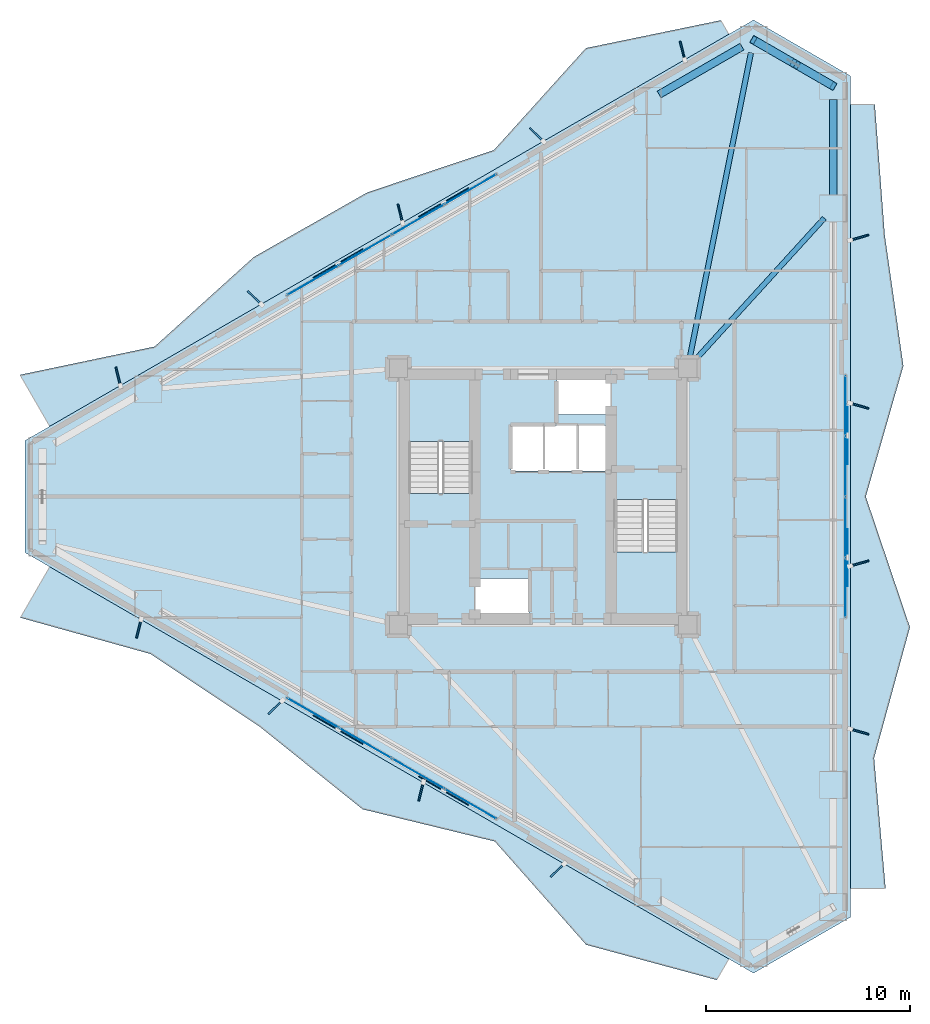
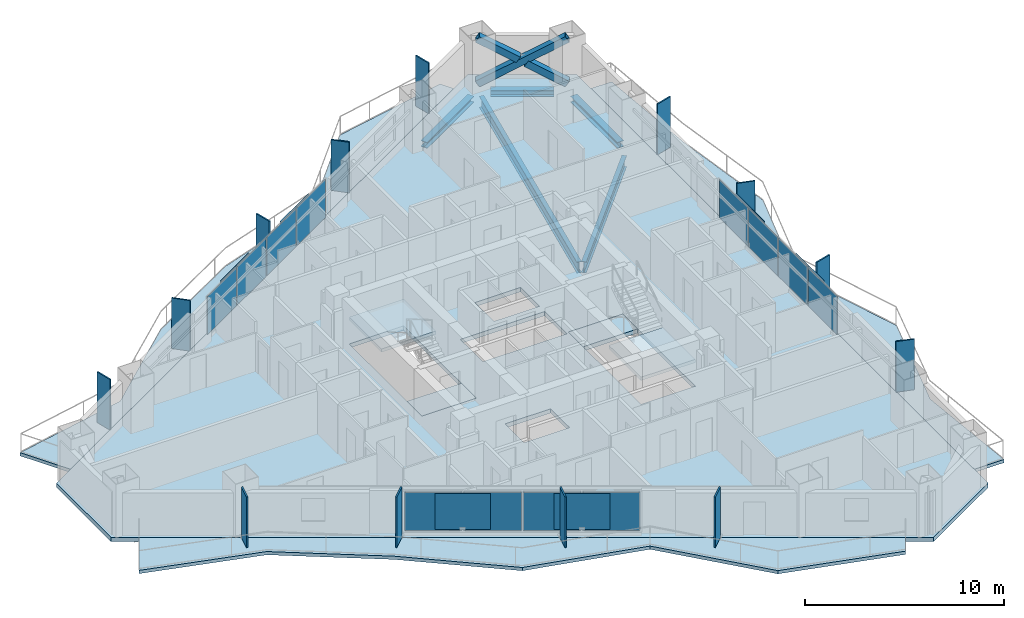
# One storey, part 10 of 18: 31 plates, 8 slabs, 5 beams, 3 members, 5 elements without a shape of their own.
"""IFC4 building model written with IfcOpenShell, lengths in metres."""

from ifc_helpers import new_model, si_unit, direction, frame, origin, origin_2d, place, context, subcontext, project, spatial, polyline, rectangle, hollow_rectangle, i_section, outline, extrude, material, layer, layer_set, material_profile, profile_set, type_object, element, aggregate, save


model = new_model("IFC4")

# Units and contexts
model_context = context("Model", 3, precision=1e-05, world=origin(), true_north=direction((0.0, 1.0)))
body_context = subcontext(model_context, "Body", "Model", "MODEL_VIEW")
ifc_project = project(units=[si_unit("LENGTHUNIT", "METRE"), si_unit("AREAUNIT", "SQUARE_METRE"), si_unit("VOLUMEUNIT", "CUBIC_METRE"), si_unit("PLANEANGLEUNIT", "RADIAN"), si_unit("MASSUNIT", "GRAM", prefix="KILO")], contexts=[model_context])

# Site, building, storey
site_placement = place(None, origin())
site = spatial("IfcSite", under=ifc_project, at=site_placement, CompositionType="ELEMENT")
building_placement = place(site_placement, origin())
building = spatial("IfcBuilding", under=site, at=building_placement, Name="Mersakhor Tower and Convention Hall", CompositionType="ELEMENT")
storey_placement = place(building_placement, frame((0.0, 0.0, 39.0)))
storey = spatial("IfcBuildingStorey", under=building, at=storey_placement, Name="L10", CompositionType="ELEMENT", Elevation=39.0)

# Beams
ifc_material_1 = material(Name="Steel S355", Category="steel")
ifc_material_profile_1 = material_profile(ifc_material_1, i_section(OverallWidth=0.25439453125, OverallDepth=0.6875, WebThickness=0.01318359375, FlangeThickness=0.02099609375, at=origin_2d()), Name="UB 686x254x152")
ifc_profile_set_1 = profile_set([ifc_material_profile_1], Name="Steel S355")
beam_type_1 = type_object("IfcBeamType", Name="BM-PR-686", PredefinedType="BEAM", material=ifc_profile_set_1)
beam_1_placement = place(storey_placement, frame((36.1845703125, 33.4716796875, -0.603759765625), z_axis=(0.196849718138, 0.980433673672, 0.0), x_axis=(-0.980433673672, 0.196849718138, 0.0)))
element("IfcBeam", 1, at=beam_1_placement, inside=storey, type_object=beam_type_1, Name="L10 Primary Floor Girder FG-2", PredefinedType="BEAM", context=body_context, shape_type="SweptSolid", body=[
    extrude(i_section(OverallWidth=0.25439453125, OverallDepth=0.6875, WebThickness=0.01318359375, FlangeThickness=0.02099609375, at=origin_2d()), origin(), (0.0, 0.0, 1.0), 15.359130859375),
])
beam_2_placement = place(storey_placement, frame((36.389404296875, 33.367919921875, -0.603759765625), z_axis=(0.67316322447, 0.739493930483, 0.0), x_axis=(-0.739493930483, 0.67316322447, 0.0)))
element("IfcBeam", 2, at=beam_2_placement, inside=storey, type_object=beam_type_1, Name="L10 Primary Floor Girder FG-3", PredefinedType="BEAM", context=body_context, shape_type="SweptSolid", body=[
    extrude(i_section(OverallWidth=0.25439453125, OverallDepth=0.6875, WebThickness=0.01318359375, FlangeThickness=0.02099609375, at=origin_2d()), origin(), (0.0, 0.0, 1.0), 9.53662109375),
])
ifc_material_2 = material(Name="Steel S355", Category="steel")
ifc_material_profile_2 = material_profile(ifc_material_2, i_section(OverallWidth=0.374755859375, OverallDepth=0.37451171875, WebThickness=0.0166015625, FlangeThickness=0.027099609375, at=origin_2d()), Name="UC 356x368x202")
ifc_profile_set_2 = profile_set([ifc_material_profile_2], Name="Steel S355")
beam_type_2 = type_object("IfcBeamType", Name="BM-SPD-UC356", PredefinedType="SPANDREL", material=ifc_profile_set_2)
beam_3_placement = place(storey_placement, frame((34.700439453125, 46.49560546875, -0.447265625), z_axis=(0.866031574723, 0.499989311469, 0.0), x_axis=(-0.499989311469, 0.866031574723, 0.0)))
element("IfcBeam", 3, at=beam_3_placement, inside=storey, type_object=beam_type_2, Name="L10 Perimeter Spandrel Beam SPB-03", PredefinedType="SPANDREL", context=body_context, shape_type="SweptSolid", body=[
    extrude(i_section(OverallWidth=0.374755859375, OverallDepth=0.37451171875, WebThickness=0.0166015625, FlangeThickness=0.027099609375, at=origin_2d()), origin(), (0.0, 0.0, 1.0), 4.69873046875),
])
beam_4_placement = place(storey_placement, frame((39.904052734375, 48.844970703125, -0.447265625), z_axis=(0.866038607556, -0.4999771297, 0.0), x_axis=(0.4999771297, 0.866038607556, 0.0)))
element("IfcBeam", 4, at=beam_4_placement, inside=storey, type_object=beam_type_2, Name="L10 Perimeter Spandrel Beam SPB-04", PredefinedType="SPANDREL", context=body_context, shape_type="SweptSolid", body=[
    extrude(i_section(OverallWidth=0.374755859375, OverallDepth=0.37451171875, WebThickness=0.0166015625, FlangeThickness=0.027099609375, at=origin_2d()), origin(), (0.0, 0.0, 1.0), 3.208740234375),
])
beam_5_placement = place(storey_placement, frame((43.25, 46.25830078125, -0.447265625), z_axis=(0.0, -1.0, 0.0), x_axis=(1.0, 0.0, 0.0)))
element("IfcBeam", 5, at=beam_5_placement, inside=storey, type_object=beam_type_2, Name="L10 Perimeter Spandrel Beam SPB-05", PredefinedType="SPANDREL", context=body_context, shape_type="SweptSolid", body=[
    extrude(i_section(OverallWidth=0.374755859375, OverallDepth=0.37451171875, WebThickness=0.0166015625, FlangeThickness=0.027099609375, at=origin_2d()), origin(), (0.0, 0.0, 1.0), 4.69873046875),
])

# Members
ifc_material_3 = material(Name="Steel S460", Category="steel")
ifc_material_profile_3 = material_profile(ifc_material_3, hollow_rectangle(XDim=0.39990234375, YDim=0.39990234375, WallThickness=0.02490234375, at=origin_2d()), Name="SHS 400x400x25")
ifc_profile_set_3 = profile_set([ifc_material_profile_3], Name="Steel S460")
member_type = type_object("IfcMemberType", Name="MB-BRC-SHS400", PredefinedType="BRACE", material=ifc_profile_set_3)
member_placement = place(storey_placement, frame((39.3369140625, 49.172607421875, 0.14990234375), z_axis=(0.740507772322, -0.427542982597, 0.518512523632), x_axis=(0.500009315796, 0.86602002524, 0.0)))
element("IfcMember", 6, at=member_placement, inside=storey, type_object=member_type, Name="L10 Chamfer Braced Frame Diagonal CB-1A", PredefinedType="BRACE", context=body_context, shape_type="SweptSolid", body=[
    extrude(hollow_rectangle(XDim=0.39990234375, YDim=0.39990234375, WallThickness=0.02490234375, at=origin_2d()), origin(), (0.0, 0.0, 1.0), 5.284423828125),
])
for number, where, z_axis, x_axis, name in (
    (7, (43.25, 46.913330078125, 0.14990234375), (-0.740505282886, 0.427518653602, 0.518536138413), (-0.499989236795, -0.866031617834, 0.0), "L10 Chamfer Braced Frame Diagonal CB-1B Lower Half"),
    (8, (41.12060546875, 48.142578125, 1.64111328125), (-0.740512106644, 0.427623949895, 0.518439560017), (-0.500078132948, -0.865980289006, 0.0), "L10 Chamfer Braced Frame Diagonal CB-1B Upper Half"),
):
    element("IfcMember", number, at=place(storey_placement, frame(where, z_axis=z_axis, x_axis=x_axis)), inside=storey, type_object=member_type, Name=name, PredefinedType="BRACE", context=body_context, shape_type="SweptSolid", body=[
        extrude(hollow_rectangle(XDim=0.39990234375, YDim=0.39990234375, WallThickness=0.02490234375, at=origin_2d()), origin(), (0.0, 0.0, 1.0), 2.40869140625),
    ])

# Curtain wall, plates
ifc_material_4 = material(Name="Dark solar low-E aluminium curtain wall", Category="aluminium")
ifc_layer_1 = layer(ifc_material_4, 0.159912109375)
ifc_layer_set_1 = layer_set([ifc_layer_1], Name="Dark solar low-E aluminium curtain wall")
curtain_wall_type = type_object("IfcCurtainWallType", Name="CW-SYS-01", PredefinedType="USERDEFINED", material=ifc_layer_set_1)
curtain_wall_1_placement = place(storey_placement, origin())
curtain_wall_1 = element("IfcCurtainWall", 9, at=curtain_wall_1_placement, inside=storey, type_object=curtain_wall_type, Name="L10 Dark-Glass Curtain Wall F1-B2", ObjectType="CURTAIN WALL", PredefinedType="USERDEFINED")
ifc_material_5 = material(Name="Dark solar double glazing", Category="glass")
ifc_layer_2 = layer(ifc_material_5, 0.02392578125)
ifc_layer_set_2 = layer_set([ifc_layer_2], Name="Dark solar double glazing")
plate_type_1 = type_object("IfcPlateType", Name="CWP-GLZ-24", PredefinedType="CURTAIN_PANEL", material=ifc_layer_set_2)
plate_1_placement = place(storey_placement, frame((17.702880859375, 37.375, 0.259765625), z_axis=(0.0, 0.0, 1.0), x_axis=(0.866023412558, 0.50000344889, 0.0)))
plate_1 = element("IfcPlate", 10, at=plate_1_placement, type_object=plate_type_1, Name="CW-01 panel 1.1", PredefinedType="CURTAIN_PANEL", context=body_context, shape_type="SweptSolid", body=[
    extrude(rectangle(XDim=2.880859375, YDim=0.02392578125, at=origin_2d()), origin(), (0.0, 0.0, 1.0), 2.340087890625),
])
plate_2_placement = place(storey_placement, frame((20.27880859375, 38.862060546875, 0.259765625), z_axis=(0.0, 0.0, 1.0), x_axis=(0.866023412558, 0.50000344889, 0.0)))
plate_2 = element("IfcPlate", 11, at=plate_2_placement, type_object=plate_type_1, Name="CW-01 panel 2.1", PredefinedType="CURTAIN_PANEL", context=body_context, shape_type="SweptSolid", body=[
    extrude(rectangle(XDim=2.918212890625, YDim=0.02392578125, at=origin_2d()), origin(), (0.0, 0.0, 1.0), 2.340087890625),
])
plate_3_placement = place(storey_placement, frame((22.87109375, 40.35888671875, 0.259765625), z_axis=(0.0, 0.0, 1.0), x_axis=(0.866023412558, 0.50000344889, 0.0)))
plate_3 = element("IfcPlate", 12, at=plate_3_placement, type_object=plate_type_1, Name="CW-01 panel 3.1", PredefinedType="CURTAIN_PANEL", context=body_context, shape_type="SweptSolid", body=[
    extrude(rectangle(XDim=2.918212890625, YDim=0.02392578125, at=origin_2d()), origin(), (0.0, 0.0, 1.0), 2.340087890625),
])
plate_4_placement = place(storey_placement, frame((25.447021484375, 41.84619140625, 0.259765625), z_axis=(0.0, 0.0, 1.0), x_axis=(0.866023412558, 0.50000344889, 0.0)))
plate_4 = element("IfcPlate", 13, at=plate_4_placement, type_object=plate_type_1, Name="CW-01 panel 4.1", PredefinedType="CURTAIN_PANEL", context=body_context, shape_type="SweptSolid", body=[
    extrude(rectangle(XDim=2.880859375, YDim=0.02392578125, at=origin_2d()), origin(), (0.0, 0.0, 1.0), 2.340087890625),
])
aggregate(curtain_wall_1, [plate_1, plate_2, plate_3, plate_4])

curtain_wall_2_placement = place(storey_placement, origin())
curtain_wall_2 = element("IfcCurtainWall", 14, at=curtain_wall_2_placement, inside=storey, type_object=curtain_wall_type, Name="L10 Dark-Glass Curtain Wall F2-B2", ObjectType="CURTAIN WALL", PredefinedType="USERDEFINED")
plate_5_placement = place(storey_placement, frame((43.85009765625, 31.22119140625, 0.259765625), z_axis=(0.0, 0.0, 1.0), x_axis=(0.0, -1.0, 0.0)))
plate_5 = element("IfcPlate", 15, at=plate_5_placement, type_object=plate_type_1, Name="CW-01 panel 1.1", PredefinedType="CURTAIN_PANEL", context=body_context, shape_type="SweptSolid", body=[
    extrude(rectangle(XDim=2.880859375, YDim=0.02392578125, at=origin_2d()), origin(), (0.0, 0.0, 1.0), 2.340087890625),
])
plate_6_placement = place(storey_placement, frame((43.85009765625, 28.24658203125, 0.259765625), z_axis=(0.0, 0.0, 1.0), x_axis=(0.0, -1.0, 0.0)))
plate_6 = element("IfcPlate", 16, at=plate_6_placement, type_object=plate_type_1, Name="CW-01 panel 2.1", PredefinedType="CURTAIN_PANEL", context=body_context, shape_type="SweptSolid", body=[
    extrude(rectangle(XDim=2.918212890625, YDim=0.02392578125, at=origin_2d()), origin(), (0.0, 0.0, 1.0), 2.340087890625),
])
plate_7_placement = place(storey_placement, frame((43.85009765625, 25.25341796875, 0.259765625), z_axis=(0.0, 0.0, 1.0), x_axis=(0.0, -1.0, 0.0)))
plate_7 = element("IfcPlate", 17, at=plate_7_placement, type_object=plate_type_1, Name="CW-01 panel 3.1", PredefinedType="CURTAIN_PANEL", context=body_context, shape_type="SweptSolid", body=[
    extrude(rectangle(XDim=2.918212890625, YDim=0.02392578125, at=origin_2d()), origin(), (0.0, 0.0, 1.0), 2.340087890625),
])
plate_8_placement = place(storey_placement, frame((43.85009765625, 22.27880859375, 0.259765625), z_axis=(0.0, 0.0, 1.0), x_axis=(0.0, -1.0, 0.0)))
plate_8 = element("IfcPlate", 18, at=plate_8_placement, type_object=plate_type_1, Name="CW-01 panel 4.1", PredefinedType="CURTAIN_PANEL", context=body_context, shape_type="SweptSolid", body=[
    extrude(rectangle(XDim=2.880859375, YDim=0.02392578125, at=origin_2d()), origin(), (0.0, 0.0, 1.0), 2.340087890625),
])
aggregate(curtain_wall_2, [plate_5, plate_6, plate_7, plate_8])

curtain_wall_3_placement = place(storey_placement, origin())
curtain_wall_3 = element("IfcCurtainWall", 19, at=curtain_wall_3_placement, inside=storey, type_object=curtain_wall_type, Name="L10 Dark-Glass Curtain Wall F3-B2", ObjectType="CURTAIN WALL", PredefinedType="USERDEFINED")
plate_9_placement = place(storey_placement, frame((25.447021484375, 11.65380859375, 0.259765625), z_axis=(0.0, 0.0, 1.0), x_axis=(-0.866023412558, 0.50000344889, 0.0)))
plate_9 = element("IfcPlate", 20, at=plate_9_placement, type_object=plate_type_1, Name="CW-01 panel 1.1", PredefinedType="CURTAIN_PANEL", context=body_context, shape_type="SweptSolid", body=[
    extrude(rectangle(XDim=2.880859375, YDim=0.02392578125, at=origin_2d()), origin(), (0.0, 0.0, 1.0), 2.340087890625),
])
plate_10_placement = place(storey_placement, frame((22.87109375, 13.14111328125, 0.259765625), z_axis=(0.0, 0.0, 1.0), x_axis=(-0.866023412558, 0.50000344889, 0.0)))
plate_10 = element("IfcPlate", 21, at=plate_10_placement, type_object=plate_type_1, Name="CW-01 panel 2.1", PredefinedType="CURTAIN_PANEL", context=body_context, shape_type="SweptSolid", body=[
    extrude(rectangle(XDim=2.918212890625, YDim=0.02392578125, at=origin_2d()), origin(), (0.0, 0.0, 1.0), 2.340087890625),
])
plate_11_placement = place(storey_placement, frame((20.27880859375, 14.637939453125, 0.259765625), z_axis=(0.0, 0.0, 1.0), x_axis=(-0.866023412558, 0.50000344889, 0.0)))
plate_11 = element("IfcPlate", 22, at=plate_11_placement, type_object=plate_type_1, Name="CW-01 panel 3.1", PredefinedType="CURTAIN_PANEL", context=body_context, shape_type="SweptSolid", body=[
    extrude(rectangle(XDim=2.918212890625, YDim=0.02392578125, at=origin_2d()), origin(), (0.0, 0.0, 1.0), 2.340087890625),
])
plate_12_placement = place(storey_placement, frame((17.702880859375, 16.125, 0.259765625), z_axis=(0.0, 0.0, 1.0), x_axis=(-0.866023412558, 0.50000344889, 0.0)))
plate_12 = element("IfcPlate", 23, at=plate_12_placement, type_object=plate_type_1, Name="CW-01 panel 4.1", PredefinedType="CURTAIN_PANEL", context=body_context, shape_type="SweptSolid", body=[
    extrude(rectangle(XDim=2.880859375, YDim=0.02392578125, at=origin_2d()), origin(), (0.0, 0.0, 1.0), 2.340087890625),
])
aggregate(curtain_wall_3, [plate_9, plate_10, plate_11, plate_12])

# Plates
ifc_material_6 = material(Name="Ceramic-clad aluminium Zone 1 cobalt-slate", Category="masonry")
ifc_material_7 = material(Name="Ceramic-clad aluminium Zone 1 cobalt-slate", Category="masonry")
ifc_layer_3 = layer(ifc_material_7, 0.080078125)
ifc_layer_set_3 = layer_set([ifc_layer_3], Name="Ceramic-clad aluminium Zone 1 cobalt-slate")
plate_type_2 = type_object("IfcPlateType", Name="PL-FIN-80", PredefinedType="USERDEFINED", material=ifc_layer_set_3)
for number, where, z_axis, x_axis, name in (
    (24, (8.134765625, 32.6435546875, 0.0), (0.0, 0.0, 1.0), (-0.2419218956, 0.970295726276, 0.0), "L10 Zone 1 Coloured Brise-Soleil Fin F1-1"),
    (25, (14.836181640625, 36.5126953125, 0.0), (0.0, 0.0, 1.0), (-0.719339800339, 0.694658370459, 0.0), "L10 Zone 1 Coloured Brise-Soleil Fin F1-2"),
    (26, (21.9912109375, 40.6435546875, 0.0), (0.0, 0.0, 1.0), (-0.2419218956, 0.970295726276, 0.0), "L10 Zone 1 Coloured Brise-Soleil Fin F1-3"),
    (27, (28.692626953125, 44.5126953125, 0.0), (0.0, 0.0, 1.0), (-0.719339800339, 0.694658370459, 0.0), "L10 Zone 1 Coloured Brise-Soleil Fin F1-4"),
    (28, (35.847412109375, 48.6435546875, 0.0), (0.0, 0.0, 1.0), (-0.2419218956, 0.970295726276, 0.0), "L10 Zone 1 Coloured Brise-Soleil Fin F1-5"),
    (29, (44.53662109375, 39.46826171875, 0.0), (0.0, 0.0, 1.0), (0.961261695938, 0.275637355817, 0.0), "L10 Zone 1 Coloured Brise-Soleil Fin F2-1"),
    (30, (44.53662109375, 31.206298828125, 0.0), (0.0, 0.0, 1.0), (0.961261695938, -0.275637355817, 0.0), "L10 Zone 1 Coloured Brise-Soleil Fin F2-2"),
    (31, (44.53662109375, 23.46826171875, 0.0), (0.0, 0.0, 1.0), (0.961261695938, 0.275637355817, 0.0), "L10 Zone 1 Coloured Brise-Soleil Fin F2-3"),
    (32, (44.53662109375, 15.206298828125, 0.0), (0.0, 0.0, 1.0), (0.961261695938, -0.275637355817, 0.0), "L10 Zone 1 Coloured Brise-Soleil Fin F2-4"),
    (33, (29.7099609375, 8.39990234375, 0.0), (0.0, 0.0, 1.0), (-0.719339800339, -0.694658370459, 0.0), "L10 Zone 1 Coloured Brise-Soleil Fin F3-1"),
    (34, (23.00830078125, 12.26904296875, 0.0), (0.0, 0.0, 1.0), (-0.2419218956, -0.970295726276, 0.0), "L10 Zone 1 Coloured Brise-Soleil Fin F3-2"),
    (35, (15.853515625, 16.39990234375, 0.0), (0.0, 0.0, 1.0), (-0.719339800339, -0.694658370459, 0.0), "L10 Zone 1 Coloured Brise-Soleil Fin F3-3"),
    (36, (9.152099609375, 20.26904296875, 0.0), (0.0, 0.0, 1.0), (-0.2419218956, -0.970295726276, 0.0), "L10 Zone 1 Coloured Brise-Soleil Fin F3-4"),
):
    element("IfcPlate", number, at=place(storey_placement, frame(where, z_axis=z_axis, x_axis=x_axis)), inside=storey, type_object=plate_type_2, material=ifc_material_6, Name=name, ObjectType="FIN", PredefinedType="USERDEFINED", context=body_context, shape_type="SweptSolid", body=[
        extrude(rectangle(XDim=0.949951171875, YDim=0.080078125, at=origin_2d()), origin(), (0.0, 0.0, 1.0), 3.10009765625),
    ])
ifc_material_8 = material(Name="Perforated ceramic cobogo solar screen", Category="aluminium")
ifc_layer_4 = layer(ifc_material_8, 0.048095703125)
ifc_layer_set_4 = layer_set([ifc_layer_4], Name="Perforated ceramic cobogo solar screen")
plate_type_3 = type_object("IfcPlateType", Name="PL-SCR-48", PredefinedType="USERDEFINED", material=ifc_layer_set_4)
for number, where, z_axis, x_axis, name in (
    (37, (18.935791015625, 38.1953125, 0.39990234375), (0.0, 0.0, 1.0), (0.866025403784, 0.5, 0.0), "L10 Perforated Ceramic Solar Screen F1-1"),
    (38, (24.120361328125, 41.1884765625, 0.39990234375), (0.0, 0.0, 1.0), (0.866025403784, 0.5, 0.0), "L10 Perforated Ceramic Solar Screen F1-2"),
    (39, (43.944091796875, 29.743408203125, 0.39990234375), (0.0, 0.0, 1.0), (0.0, -1.0, 0.0), "L10 Perforated Ceramic Solar Screen F2-1"),
    (40, (43.944091796875, 23.756591796875, 0.39990234375), (0.0, 0.0, 1.0), (0.0, -1.0, 0.0), "L10 Perforated Ceramic Solar Screen F2-2"),
    (41, (24.1201171875, 12.311279296875, 0.39990234375), (0.0, 0.0, 1.0), (-0.866025403784, 0.5, 0.0), "L10 Perforated Ceramic Solar Screen F3-1"),
    (42, (18.935791015625, 15.3046875, 0.39990234375), (0.0, 0.0, 1.0), (-0.866025403784, 0.5, 0.0), "L10 Perforated Ceramic Solar Screen F3-2"),
):
    element("IfcPlate", number, at=place(storey_placement, frame(where, z_axis=z_axis, x_axis=x_axis)), inside=storey, type_object=plate_type_3, Name=name, ObjectType="SCREEN", PredefinedType="USERDEFINED", context=body_context, shape_type="SweptSolid", body=[
        extrude(rectangle(XDim=2.800048828125, YDim=0.048095703125, at=origin_2d()), origin(), (0.0, 0.0, 1.0), 2.2099609375),
    ])

# Slabs
ifc_material_9 = material(Name="Concrete C45/55", Category="concrete")
ifc_layer_5 = layer(ifc_material_9, 0.199951171875)
ifc_layer_set_5 = layer_set([ifc_layer_5], Name="Concrete C45/55")
slab_type_1 = type_object("IfcSlabType", Name="SL-BAL-200", PredefinedType="FLOOR", material=ifc_layer_set_5)
slab_1_placement = place(storey_placement, frame((0.0, 0.0, -0.199951171875)))
element("IfcSlab", 43, at=slab_1_placement, inside=storey, type_object=slab_type_1, Name="L10 Sinusoidal Balcony Slab Face 1", PredefinedType="FLOOR", context=body_context, shape_type="SweptSolid", body=[
    extrude(outline(polyline([(4.775390625, 30.199951171875), (38.12451171875, 49.4541015625), (37.728515625, 50.1396484375), (31.106201171875, 48.773681640625), (26.58740234375, 43.764892578125), (20.375244140625, 41.6884765625), (14.796875, 38.5146484375), (9.925537109375, 34.11572265625), (3.3154296875, 32.728759765625), (4.775390625, 30.199951171875)])), origin(), (0.0, 0.0, 1.0), 0.199951171875),
])
slab_2_placement = place(storey_placement, frame((0.0, 0.0, -0.199951171875)))
element("IfcSlab", 44, at=slab_2_placement, inside=storey, type_object=slab_type_1, Name="L10 Sinusoidal Balcony Slab Face 2", PredefinedType="FLOOR", context=body_context, shape_type="SweptSolid", body=[
    extrude(outline(polyline([(44.10009765625, 46.00390625), (44.10009765625, 7.49609375), (45.82470703125, 7.49609375), (45.25830078125, 13.9140625), (47.018798828125, 20.33203125), (44.85009765625, 26.75), (46.697021484375, 33.16796875), (45.781982421875, 39.5859375), (45.294921875, 46.00390625), (44.10009765625, 46.00390625)])), origin(), (0.0, 0.0, 1.0), 0.199951171875),
])
slab_3_placement = place(storey_placement, frame((0.0, 0.0, -0.199951171875)))
element("IfcSlab", 45, at=slab_3_placement, inside=storey, type_object=slab_type_1, Name="L10 Sinusoidal Balcony Slab Face 3", PredefinedType="FLOOR", context=body_context, shape_type="SweptSolid", body=[
    extrude(outline(polyline([(38.12451171875, 4.0458984375), (4.775390625, 23.300048828125), (3.333740234375, 20.802734375), (9.717529296875, 19.023681640625), (15.072021484375, 15.462158203125), (20.1357421875, 11.396728515625), (26.63330078125, 9.814453125), (31.115478515625, 4.741943359375), (37.527099609375, 3.010986328125), (38.12451171875, 4.0458984375)])), origin(), (0.0, 0.0, 1.0), 0.199951171875),
])
ifc_material_10 = material(Name="Concrete C45/55", Category="concrete")
ifc_layer_6 = layer(ifc_material_10, 0.260009765625)
ifc_layer_set_6 = layer_set([ifc_layer_6], Name="Concrete C45/55")
slab_type_2 = type_object("IfcSlabType", Name="SL-FLR-260", PredefinedType="FLOOR", material=ifc_layer_set_6)
slab_4_placement = place(storey_placement, frame((0.0, 0.0, -0.260009765625)))
element("IfcSlab", 46, at=slab_4_placement, inside=storey, type_object=slab_type_2, Name="L10 ST-1 Structural Stair Floor Landing", PredefinedType="LANDING", context=body_context, shape_type="SweptSolid", body=[
    extrude(outline(polyline([(25.550048828125, 25.39990234375), (25.550048828125, 26.89990234375), (22.39990234375, 26.89990234375), (22.39990234375, 25.39990234375), (25.550048828125, 25.39990234375)])), origin(), (0.0, 0.0, 1.0), 0.260009765625),
])
slab_5_placement = place(storey_placement, frame((0.0, 0.0, -0.260009765625)))
element("IfcSlab", 47, at=slab_5_placement, inside=storey, type_object=slab_type_2, Name="L10 ST-2 Structural Stair Floor Landing", PredefinedType="LANDING", context=body_context, shape_type="SweptSolid", body=[
    extrude(outline(polyline([(32.449951171875, 28.10009765625), (32.449951171875, 26.60009765625), (35.60009765625, 26.60009765625), (35.60009765625, 28.10009765625), (32.449951171875, 28.10009765625)])), origin(), (0.0, 0.0, 1.0), 0.260009765625),
])
slab_6_placement = place(storey_placement, frame((0.0, 0.0, -0.260009765625)))
element("IfcSlab", 48, at=slab_6_placement, inside=storey, type_object=slab_type_2, Name="Tower L10 Structural Floor Slab", PredefinedType="FLOOR", context=body_context, shape_type="SweptSolid", body=[
    extrude(outline(polyline([(3.56298828125, 29.5), (39.3369140625, 50.154052734375), (44.10009765625, 47.404052734375), (44.10009765625, 6.095947265625), (39.3369140625, 3.345947265625), (3.56298828125, 24.0), (3.56298828125, 29.5)]), holes=[polyline([(25.550048828125, 25.39990234375), (25.550048828125, 32.699951171875), (22.39990234375, 32.699951171875), (22.39990234375, 25.39990234375), (25.550048828125, 25.39990234375)]), polyline([(32.449951171875, 28.10009765625), (32.449951171875, 20.800048828125), (35.60009765625, 20.800048828125), (35.60009765625, 28.10009765625), (32.449951171875, 28.10009765625)]), polyline([(25.679931640625, 20.820068359375), (25.679931640625, 22.719970703125), (28.320068359375, 22.719970703125), (28.320068359375, 20.820068359375), (25.679931640625, 20.820068359375)]), polyline([(29.679931640625, 30.780029296875), (29.679931640625, 32.679931640625), (32.320068359375, 32.679931640625), (32.320068359375, 30.780029296875), (29.679931640625, 30.780029296875)]), polyline([(27.429931640625, 28.0), (27.429931640625, 30.25), (32.320068359375, 30.25), (32.320068359375, 28.0), (27.429931640625, 28.0)])]), origin(), (0.0, 0.0, 1.0), 0.260009765625),
])

# Stair, slab
ifc_material_11 = material(Name="Concrete C45/55", Category="concrete")
stair_type = type_object("IfcStairType", Name="ST-TWR-20R", PredefinedType="HALF_TURN_STAIR", material=ifc_material_11)
stair_1_placement = place(storey_placement, origin())
stair_1 = element("IfcStair", 49, at=stair_1_placement, inside=storey, type_object=stair_type, Name="L10 Tower Protected Exit Stair ST-1", PredefinedType="HALF_TURN_STAIR")
ifc_material_12 = material(Name="Concrete C45/55", Category="concrete")
ifc_layer_7 = layer(ifc_material_12, 0.199951171875)
ifc_layer_set_7 = layer_set([ifc_layer_7], Name="Concrete C45/55")
slab_type_3 = type_object("IfcSlabType", Name="SL-LAND-200", PredefinedType="LANDING", material=ifc_layer_set_7)
slab_7_placement = place(storey_placement, frame((0.0, 0.0, 1.449951171875)))
slab_7 = element("IfcSlab", 50, at=slab_7_placement, type_object=slab_type_3, Name="ST-1 landing 1", PredefinedType="LANDING", context=body_context, shape_type="SweptSolid", body=[
    extrude(outline(polyline([(25.550048828125, 29.465087890625), (25.550048828125, 32.699951171875), (22.39990234375, 32.699951171875), (22.39990234375, 29.465087890625), (25.550048828125, 29.465087890625)])), origin(), (0.0, 0.0, 1.0), 0.199951171875),
])
aggregate(stair_1, [slab_7])

stair_2_placement = place(storey_placement, origin())
stair_2 = element("IfcStair", 51, at=stair_2_placement, inside=storey, type_object=stair_type, Name="L10 Tower Protected Exit Stair ST-2", PredefinedType="HALF_TURN_STAIR")
slab_8_placement = place(storey_placement, frame((0.0, 0.0, 1.449951171875)))
slab_8 = element("IfcSlab", 52, at=slab_8_placement, type_object=slab_type_3, Name="ST-2 landing 1", PredefinedType="LANDING", context=body_context, shape_type="SweptSolid", body=[
    extrude(outline(polyline([(32.449951171875, 24.034912109375), (32.449951171875, 20.800048828125), (35.60009765625, 20.800048828125), (35.60009765625, 24.034912109375), (32.449951171875, 24.034912109375)])), origin(), (0.0, 0.0, 1.0), 0.199951171875),
])
aggregate(stair_2, [slab_8])

save(model, "model.ifc")
